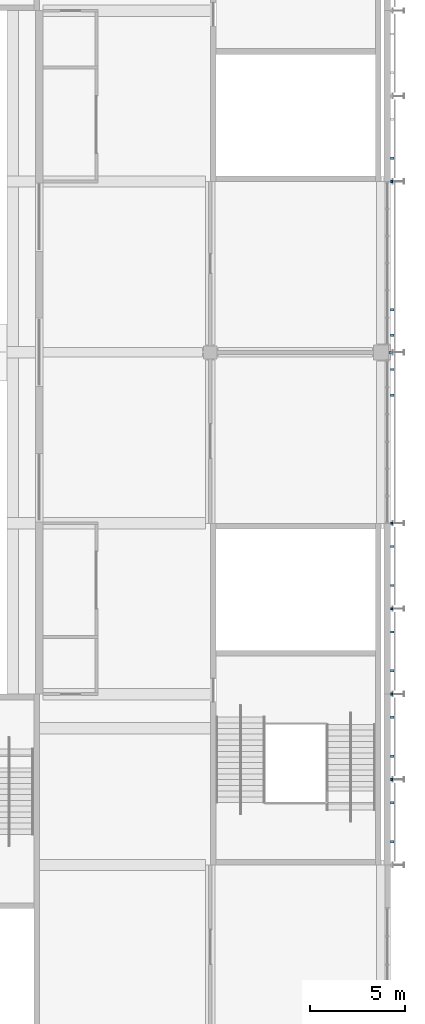
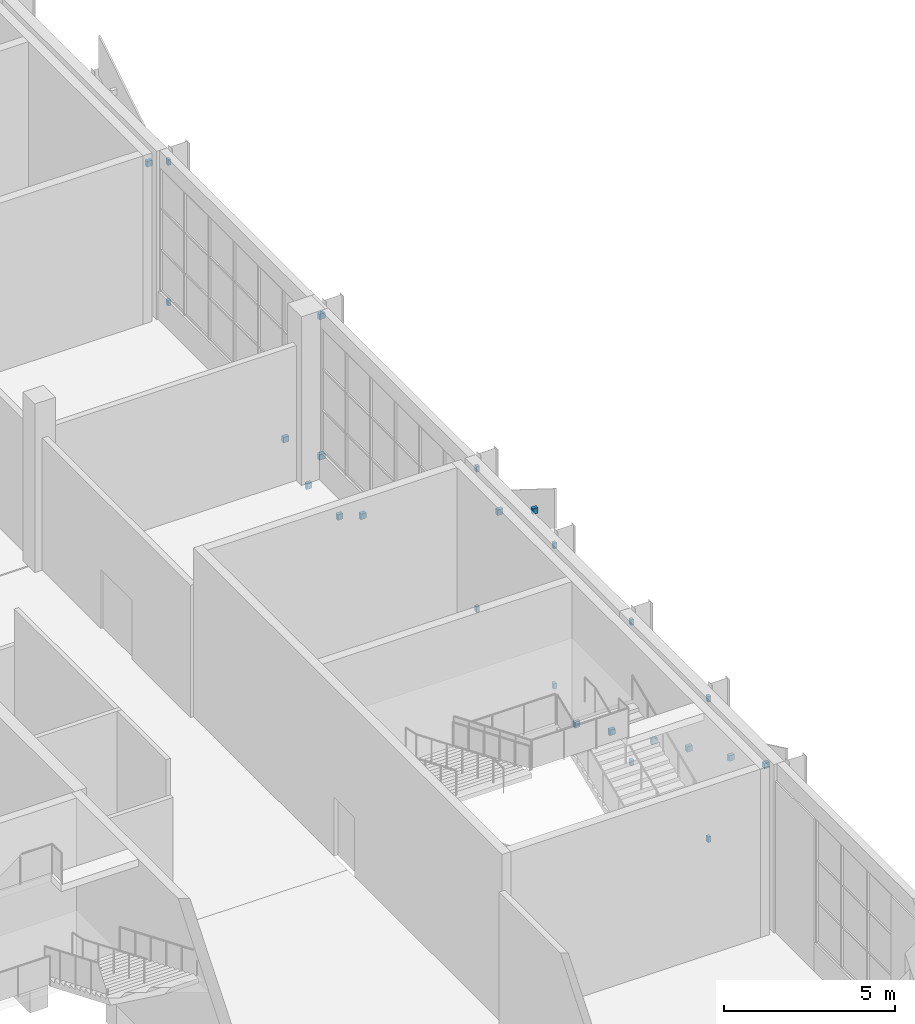
# One storey, part 61 of 89: 25 discrete accessories.
"""IFC4 building model written with IfcOpenShell, lengths in metres."""

from ifc_helpers import new_model, si_unit, direction, frame, origin, origin_2d, place, context, subcontext, project, spatial, rectangle, extrude, material, type_object, element, save


model = new_model("IFC4")

# Units and contexts
model_context = context("Model", 3, precision=1e-05, world=origin(), true_north=direction((0.0, 1.0)))
body_context = subcontext(model_context, "Body", "Model", "MODEL_VIEW")
ifc_project = project(units=[si_unit("LENGTHUNIT", "METRE"), si_unit("AREAUNIT", "SQUARE_METRE"), si_unit("VOLUMEUNIT", "CUBIC_METRE"), si_unit("PLANEANGLEUNIT", "RADIAN"), si_unit("MASSUNIT", "GRAM", prefix="KILO")], contexts=[model_context])

# Site, building, storey
site_placement = place(None, origin())
site = spatial("IfcSite", under=ifc_project, at=site_placement, CompositionType="ELEMENT")
building_placement = place(site_placement, origin())
building = spatial("IfcBuilding", under=site, at=building_placement, Name="Silverbay Arena", CompositionType="ELEMENT")
storey_placement = place(building_placement, frame((0.0, 0.0, 22.0)))
storey = spatial("IfcBuildingStorey", under=building, at=storey_placement, Name="L03", CompositionType="ELEMENT", Elevation=22.0)

# Discrete accessories
ifc_material = material(Name="Steel S355", Category="steel")
discrete_accessory_type = type_object("IfcDiscreteAccessoryType", Name="Steel bracket plate", PredefinedType="BRACKET", material=ifc_material)
for number, where, z_axis, x_axis, name in (
    (1, (207.550048828125, 58.5, 0.39990234375), (0.0, 0.0, 1.0), (1.0, 0.0, 0.0), "Fin bracket"),
    (2, (207.550048828125, 58.5, 5.39990234375), (0.0, 0.0, 1.0), (1.0, 0.0, 0.0), "Fin bracket"),
    (3, (207.550048828125, 63.0, 0.39990234375), (0.0, 0.0, 1.0), (1.0, 0.0, 0.0), "Fin bracket"),
    (4, (207.550048828125, 63.0, 5.39990234375), (0.0, 0.0, 1.0), (1.0, 0.0, 0.0), "Fin bracket"),
    (5, (207.550048828125, 67.5, 0.39990234375), (0.0, 0.0, 1.0), (1.0, 0.0, 0.0), "Fin bracket"),
    (6, (207.550048828125, 67.5, 5.39990234375), (0.0, 0.0, 1.0), (1.0, 0.0, 0.0), "Fin bracket"),
    (7, (207.550048828125, 72.0, 0.39990234375), (0.0, 0.0, 1.0), (1.0, 0.0, 0.0), "Fin bracket"),
    (8, (207.550048828125, 72.0, 5.39990234375), (0.0, 0.0, 1.0), (1.0, 0.0, 0.0), "Fin bracket"),
):
    element("IfcDiscreteAccessory", number, at=place(storey_placement, frame(where, z_axis=z_axis, x_axis=x_axis)), inside=storey, type_object=discrete_accessory_type, Name=name, PredefinedType="BRACKET", context=body_context, shape_type="SweptSolid", body=[
        extrude(rectangle(XDim=0.10009765625, YDim=0.1201171875, at=origin_2d()), origin(), (0.0, 0.0, 1.0), 0.199951171875),
    ])
for number, where, z_axis, x_axis, name in (
    (9, (207.5, 81.0, 0.39990234375), (0.0, 0.0, 1.0), (1.0, 0.0, 0.0), "Fin bracket"),
    (10, (207.5, 81.0, 5.39990234375), (0.0, 0.0, 1.0), (1.0, 0.0, 0.0), "Fin bracket"),
):
    element("IfcDiscreteAccessory", number, at=place(storey_placement, frame(where, z_axis=z_axis, x_axis=x_axis)), inside=storey, type_object=discrete_accessory_type, Name=name, PredefinedType="BRACKET", context=body_context, shape_type="SweptSolid", body=[
        extrude(rectangle(XDim=0.199951171875, YDim=0.1201171875, at=origin_2d()), origin(), (0.0, 0.0, 1.0), 0.199951171875),
    ])
for number, where, z_axis, x_axis, name in (
    (11, (207.550048828125, 90.0, 0.39990234375), (0.0, 0.0, 1.0), (1.0, 0.0, 0.0), "Fin bracket"),
    (12, (207.550048828125, 90.0, 5.39990234375), (0.0, 0.0, 1.0), (1.0, 0.0, 0.0), "Fin bracket"),
):
    element("IfcDiscreteAccessory", number, at=place(storey_placement, frame(where, z_axis=z_axis, x_axis=x_axis)), inside=storey, type_object=discrete_accessory_type, Name=name, PredefinedType="BRACKET", context=body_context, shape_type="SweptSolid", body=[
        extrude(rectangle(XDim=0.10009765625, YDim=0.1201171875, at=origin_2d()), origin(), (0.0, 0.0, 1.0), 0.199951171875),
    ])
for number, where, z_axis, x_axis, name in (
    (13, (207.590087890625, 55.22509765625, 5.00732421875), (0.0, 0.0, 1.0), (1.0, 0.0, 0.0), "Band bracket"),
    (14, (207.590087890625, 57.27490234375, 4.03369140625), (0.0, 0.0, 1.0), (1.0, 0.0, 0.0), "Band bracket"),
    (15, (207.590087890625, 59.72509765625, 2.8701171875), (0.0, 0.0, 1.0), (1.0, 0.0, 0.0), "Band bracket"),
    (16, (207.590087890625, 61.77490234375, 1.89599609375), (0.0, 0.0, 1.0), (1.0, 0.0, 0.0), "Band bracket"),
    (17, (207.590087890625, 64.22509765625, 0.732421875), (0.0, 0.0, 1.0), (1.0, 0.0, 0.0), "Band bracket"),
    (18, (207.590087890625, 66.27490234375, -0.2412109375), (0.0, 0.0, 1.0), (1.0, 0.0, 0.0), "Band bracket"),
    (19, (207.590087890625, 68.72509765625, 5.87939453125), (0.0, 0.0, 1.0), (1.0, 0.0, 0.0), "Band bracket"),
    (20, (207.590087890625, 70.77490234375, 4.59814453125), (0.0, 0.0, 1.0), (1.0, 0.0, 0.0), "Band bracket"),
    (21, (207.590087890625, 78.747314453125, -0.384765625), (0.0, 0.0, 1.0), (1.0, 0.0, 0.0), "Band bracket"),
    (22, (207.590087890625, 80.095703125, -1.22705078125), (0.0, 0.0, 1.0), (1.0, 0.0, 0.0), "Band bracket"),
    (23, (207.590087890625, 83.252685546875, -0.384765625), (0.0, 0.0, 1.0), (1.0, 0.0, 0.0), "Band bracket"),
    (24, (207.590087890625, 81.904296875, -1.22705078125), (0.0, 0.0, 1.0), (1.0, 0.0, 0.0), "Band bracket"),
    (25, (207.590087890625, 91.22509765625, 4.59814453125), (0.0, 0.0, 1.0), (1.0, 0.0, 0.0), "Band bracket"),
):
    element("IfcDiscreteAccessory", number, at=place(storey_placement, frame(where, z_axis=z_axis, x_axis=x_axis)), inside=storey, type_object=discrete_accessory_type, Name=name, PredefinedType="BRACKET", context=body_context, shape_type="SweptSolid", body=[
        extrude(rectangle(XDim=0.179931640625, YDim=0.1201171875, at=origin_2d()), origin(), (0.0, 0.0, 1.0), 0.199951171875),
    ])

save(model, "model.ifc")
